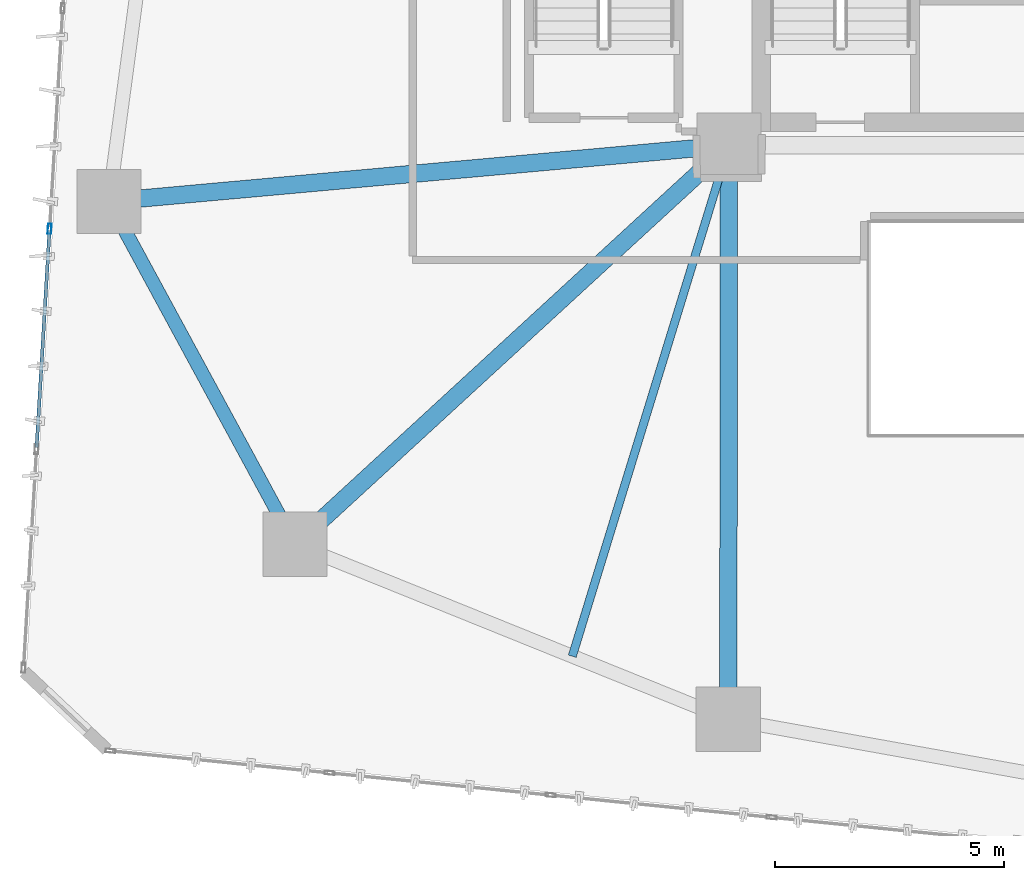
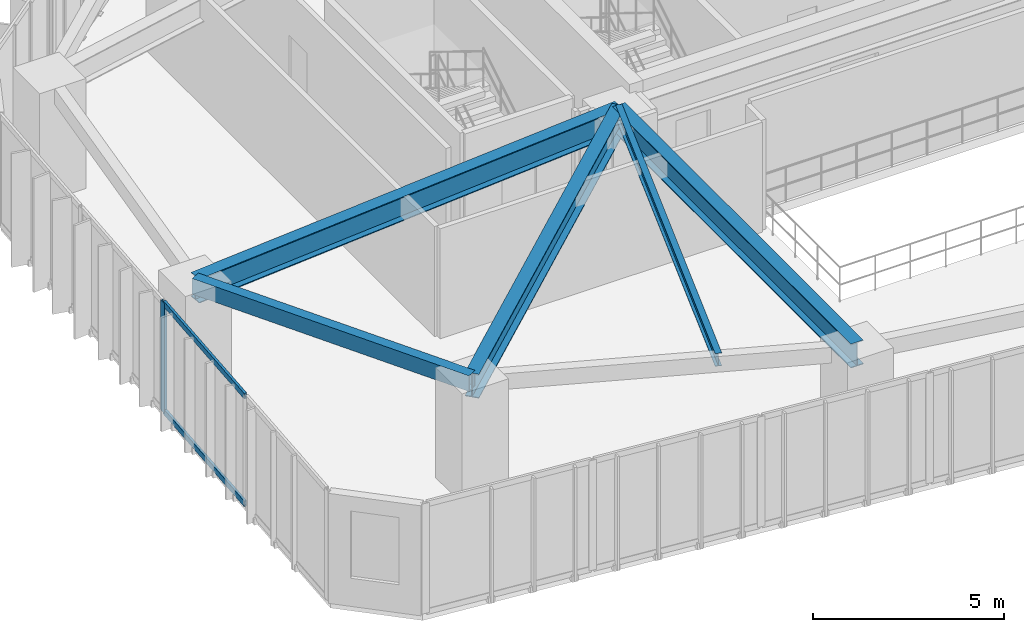
# One storey, part 3 of 24: 5 beams, 3 members, 1 element without a shape of its own.
"""IFC4 building model written with IfcOpenShell, lengths in metres."""

from ifc_helpers import new_model, si_unit, direction, frame, origin, origin_2d, place, context, subcontext, project, spatial, hollow_rectangle, i_section, extrude, source, transform, mapped, material, layer, layer_set, material_profile, profile_set, type_object, type_shapes, element, aggregate, save


model = new_model("IFC4")

# Units and contexts
model_context = context("Model", 3, precision=1e-05, world=origin(), true_north=direction((0.0, 1.0)))
body_context = subcontext(model_context, "Body", "Model", "MODEL_VIEW")
ifc_project = project(units=[si_unit("LENGTHUNIT", "METRE"), si_unit("AREAUNIT", "SQUARE_METRE"), si_unit("VOLUMEUNIT", "CUBIC_METRE"), si_unit("PLANEANGLEUNIT", "RADIAN"), si_unit("MASSUNIT", "GRAM", prefix="KILO")], contexts=[model_context])

# Site, building, storey
site_placement = place(None, origin())
site = spatial("IfcSite", under=ifc_project, at=site_placement, CompositionType="ELEMENT")
building_placement = place(site_placement, origin())
building = spatial("IfcBuilding", under=site, at=building_placement, Name="Talar Marvaseh", CompositionType="ELEMENT")
storey_placement = place(building_placement, frame((0.0, 0.0, 73.39990234375)))
storey = spatial("IfcBuildingStorey", under=building, at=storey_placement, Name="L18", CompositionType="ELEMENT", Elevation=73.39990234375)

# Beams
ifc_material_1 = material(Name="Steel S355", Category="steel")
ifc_material_profile_1 = material_profile(ifc_material_1, hollow_rectangle(XDim=0.300048828125, YDim=0.5, WallThickness=0.02001953125, at=origin_2d()), Name="RHS500x300x20")
ifc_profile_set_1 = profile_set([ifc_material_profile_1], Name="Steel S355")
beam_type_1 = type_object("IfcBeamType", Name="Zone 1 Perimeter Spandrel Beam RHS500x300x20", PredefinedType="SPANDREL", material=ifc_profile_set_1)
beam_1_placement = place(storey_placement, frame((9.23193359375, 16.7958984375, 3.27001953125), z_axis=(-0.476758155578, 0.879034505062, 0.0), x_axis=(-0.879034505062, -0.476758155578, 0.0)))
element("IfcBeam", 1, at=beam_1_placement, inside=storey, type_object=beam_type_1, Name="L18 Zone 1 Perimeter Spandrel Beam RHS500x300x20", PredefinedType="SPANDREL", context=body_context, shape_type="SweptSolid", body=[
    extrude(hollow_rectangle(XDim=0.300048828125, YDim=0.5, WallThickness=0.02001953125, at=origin_2d()), origin(), (0.0, 0.0, 1.0), 8.50927734375),
])
ifc_material_profile_2 = material_profile(ifc_material_1, i_section(OverallWidth=0.381103515625, OverallDepth=0.77294921875, WebThickness=0.0166015625, FlangeThickness=0.027099609375, at=origin_2d()), Name="W760x257")
ifc_profile_set_2 = profile_set([ifc_material_profile_2], Name="Steel S355")
beam_type_2 = type_object("IfcBeamType", Name="Zone 1 Radial Floor Girder W760x257", PredefinedType="BEAM", material=ifc_profile_set_2)
beam_2_placement = place(storey_placement, frame((18.68310546875, 12.97900390625, 3.133544921875), z_axis=(0.001345395187, 0.999999094955, 0.0), x_axis=(-0.999999094955, 0.001345395187, 0.0)))
element("IfcBeam", 2, at=beam_2_placement, inside=storey, type_object=beam_type_2, Name="L18 Zone 1 Radial Floor Girder W760x257", PredefinedType="BEAM", context=body_context, shape_type="SweptSolid", body=[
    extrude(i_section(OverallWidth=0.381103515625, OverallDepth=0.77294921875, WebThickness=0.0166015625, FlangeThickness=0.027099609375, at=origin_2d()), origin(), (0.0, 0.0, 1.0), 12.52099609375),
])
beam_3_placement = place(storey_placement, frame((9.23193359375, 16.7958984375, 3.133544921875), z_axis=(0.736181804049, 0.676783829142, 0.0), x_axis=(-0.676783829142, 0.736181804049, 0.0)))
element("IfcBeam", 3, at=beam_3_placement, inside=storey, type_object=beam_type_2, Name="L18 Zone 1 Radial Floor Girder W760x257", PredefinedType="BEAM", context=body_context, shape_type="SweptSolid", body=[
    extrude(i_section(OverallWidth=0.381103515625, OverallDepth=0.77294921875, WebThickness=0.0166015625, FlangeThickness=0.027099609375, at=origin_2d()), origin(), (0.0, 0.0, 1.0), 12.861083984375),
])
beam_4_placement = place(storey_placement, frame((5.175048828125, 24.27587890625, 3.133544921875), z_axis=(0.995929083348, 0.090140229321, 0.0), x_axis=(-0.090140229321, 0.995929083348, 0.0)))
element("IfcBeam", 4, at=beam_4_placement, inside=storey, type_object=beam_type_2, Name="L18 Zone 1 Radial Floor Girder W760x257", PredefinedType="BEAM", context=body_context, shape_type="SweptSolid", body=[
    extrude(i_section(OverallWidth=0.381103515625, OverallDepth=0.77294921875, WebThickness=0.0166015625, FlangeThickness=0.027099609375, at=origin_2d()), origin(), (0.0, 0.0, 1.0), 13.580078125),
])
ifc_material_profile_3 = material_profile(ifc_material_1, i_section(OverallWidth=0.179931640625, OverallDepth=0.4130859375, WebThickness=0.009765625, FlangeThickness=0.01611328125, at=origin_2d()), Name="W410x75")
ifc_profile_set_3 = profile_set([ifc_material_profile_3], Name="Steel S355")
beam_type_3 = type_object("IfcBeamType", Name="Zone 1 Secondary Floor Joist W410x75", PredefinedType="JOIST", material=ifc_profile_set_3)
beam_5_placement = place(storey_placement, frame((15.280517578125, 14.35302734375, 3.3134765625), z_axis=(0.293270595159, 0.956029475495, 0.0), x_axis=(-0.956029475495, 0.293270595159, 0.0)))
element("IfcBeam", 5, at=beam_5_placement, inside=storey, type_object=beam_type_3, Name="L18 Zone 1 Secondary Floor Joist W410x75", PredefinedType="JOIST", context=body_context, shape_type="SweptSolid", body=[
    extrude(i_section(OverallWidth=0.179931640625, OverallDepth=0.4130859375, WebThickness=0.009765625, FlangeThickness=0.01611328125, at=origin_2d()), origin(), (0.0, 0.0, 1.0), 11.65966796875),
])

# Curtain wall, members
ifc_material_2 = material(Name="Architectural Aluminium", Category="aluminium")
ifc_layer = layer(ifc_material_2, 0.219970703125)
ifc_layer_set = layer_set([ifc_layer], Name="Architectural Aluminium")
curtain_wall_type = type_object("IfcCurtainWallType", Name="Unitised Low-E Museum Curtain Wall Z1", PredefinedType="NOTDEFINED", material=ifc_layer_set)
curtain_wall_placement = place(storey_placement, origin())
curtain_wall = element("IfcCurtainWall", 6, at=curtain_wall_placement, inside=storey, type_object=curtain_wall_type, Name="L18 Unitised Low-E Museum Curtain Wall Z1", PredefinedType="NOTDEFINED")
ifc_material_profile_4 = material_profile(ifc_material_2, hollow_rectangle(XDim=0.080078125, YDim=0.219970703125, WallThickness=0.0048828125, at=origin_2d()), Name="RHS220x80x5")
ifc_profile_set_4 = profile_set([ifc_material_profile_4], Name="Architectural Aluminium")
member_type_1 = type_object("IfcMemberType", Name="Unitised Curtain Wall Heavy Mullion RHS220x80x5", PredefinedType="MULLION", material=ifc_profile_set_4)
shared_shape_1 = source(origin(), body_context, "Body", "SweptSolid", [
    extrude(hollow_rectangle(XDim=0.080078125, YDim=0.219970703125, WallThickness=0.0048828125, at=origin_2d()), origin(), (0.0, 0.0, 1.0), 3.52001953125),
])
type_shapes(member_type_1, [shared_shape_1])
member_1_placement = place(storey_placement, frame((3.87939453125, 23.677490234375, 0.0), z_axis=(0.0, 0.0, 1.0), x_axis=(-0.99823587745, 0.059372830241, 0.0)))
member_1 = element("IfcMember", 7, at=member_1_placement, type_object=member_type_1, Name="CW-Z1 mullion 3", PredefinedType="MULLION", context=body_context, shape_type="MappedRepresentation", body=[
    mapped(shared_shape_1, transform((0.0, 0.0, 0.0), x_axis=(1.0, 0.0, 0.0), y_axis=(0.0, 1.0, 0.0), z_axis=(0.0, 0.0, 1.0), scale=1.0)),
])
ifc_material_profile_5 = material_profile(ifc_material_2, hollow_rectangle(XDim=0.074951171875, YDim=0.179931640625, WallThickness=0.0048828125, at=origin_2d()), Name="RHS180x75x5")
ifc_profile_set_5 = profile_set([ifc_material_profile_5], Name="Architectural Aluminium")
member_type_2 = type_object("IfcMemberType", Name="Unitised Curtain Wall Transom RHS180x75x5", PredefinedType="USERDEFINED", material=ifc_profile_set_5)
shared_shape_2 = source(origin(), body_context, "Body", "SweptSolid", [
    extrude(hollow_rectangle(XDim=0.074951171875, YDim=0.179931640625, WallThickness=0.0048828125, at=origin_2d()), origin(), (0.0, 0.0, 1.0), 4.736328125),
])
type_shapes(member_type_2, [shared_shape_2])
member_2_placement = place(storey_placement, frame((3.595947265625, 18.909423828125, 0.03759765625), z_axis=(0.059329364323, 0.998238461756, 0.0), x_axis=(-0.998238461756, 0.059329364323, 0.0)))
member_2 = element("IfcMember", 8, at=member_2_placement, type_object=member_type_2, Name="CW-Z1 transom 2.1", ObjectType="TRANSOM", PredefinedType="USERDEFINED", context=body_context, shape_type="MappedRepresentation", body=[
    mapped(shared_shape_2, transform((0.0, 0.0, 0.0), x_axis=(1.0, 0.0, 0.0), y_axis=(0.0, 1.0, 0.0), z_axis=(0.0, 0.0, 1.0), scale=1.0)),
])
member_3_placement = place(storey_placement, frame((3.595947265625, 18.909423828125, 3.482666015625), z_axis=(0.059329364323, 0.998238461756, 0.0), x_axis=(-0.998238461756, 0.059329364323, 0.0)))
member_3 = element("IfcMember", 9, at=member_3_placement, type_object=member_type_2, Name="CW-Z1 transom 2.2", ObjectType="TRANSOM", PredefinedType="USERDEFINED", context=body_context, shape_type="MappedRepresentation", body=[
    mapped(shared_shape_2, transform((0.0, 0.0, 0.0), x_axis=(1.0, 0.0, 0.0), y_axis=(0.0, 1.0, 0.0), z_axis=(0.0, 0.0, 1.0), scale=1.0)),
])
aggregate(curtain_wall, [member_1, member_2, member_3])

save(model, "model.ifc")
